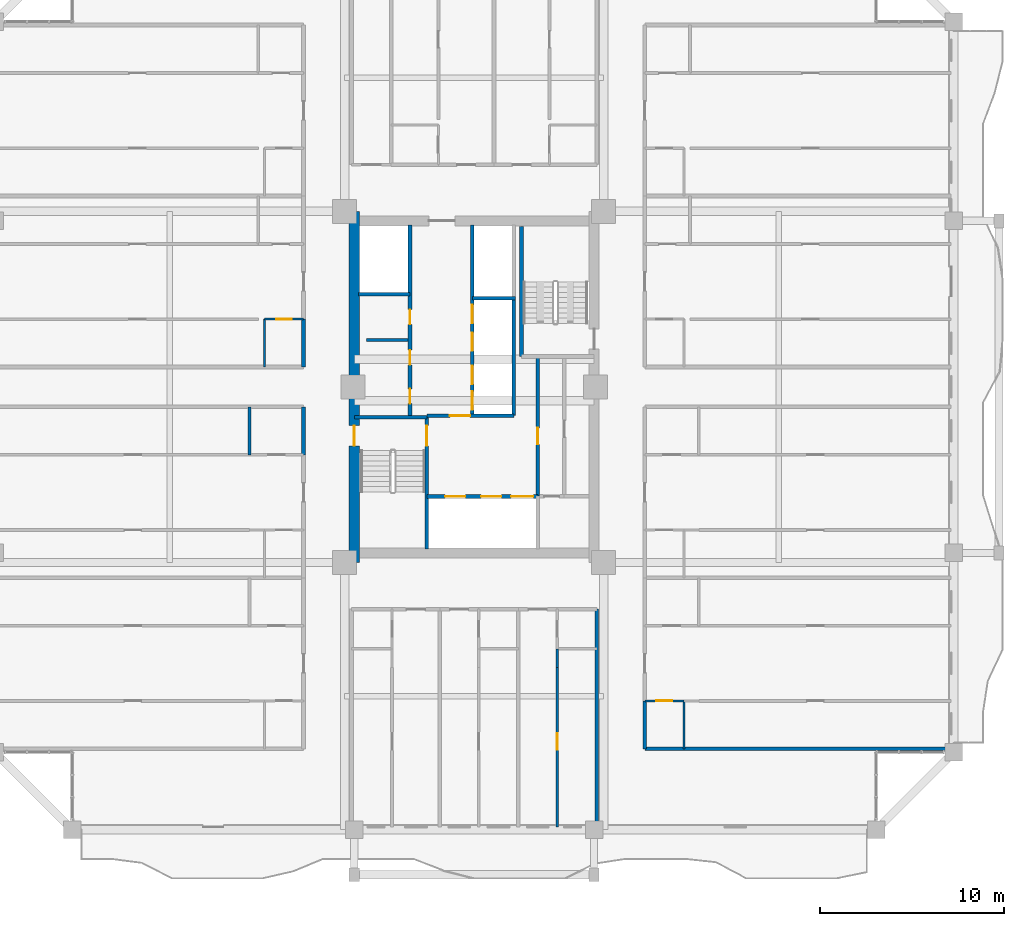
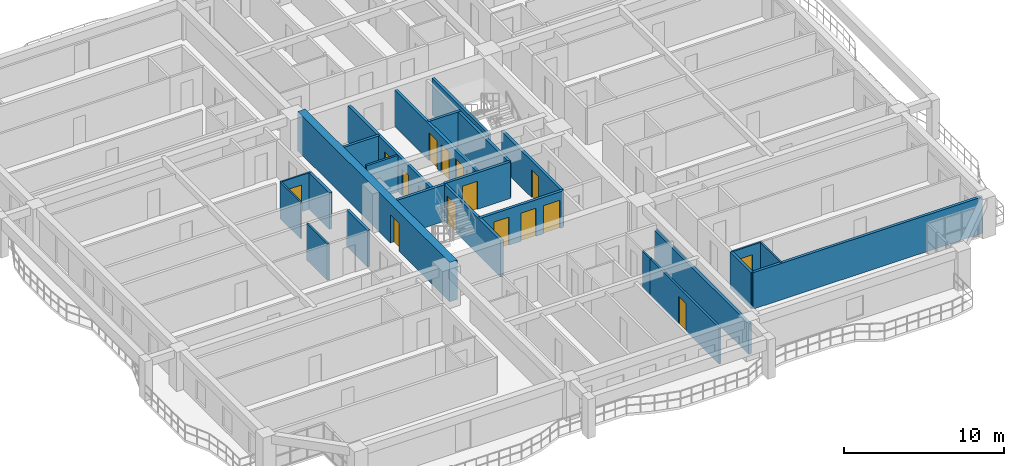
# One storey, part 16 of 25: 25 walls, 17 doors, 17 openings.
"""IFC4 building model written with IfcOpenShell, lengths in metres."""

from ifc_helpers import new_model, si_unit, direction, frame, frame_2d, origin, place, context, subcontext, project, spatial, rectangle, extrude, source, transform, mapped, material, layer, layer_set, type_object, element, fill, save


model = new_model("IFC4")

# Units and contexts
model_context = context("Model", 3, precision=1e-05, world=origin(), true_north=direction((0.0, 1.0)))
body_context = subcontext(model_context, "Body", "Model", "MODEL_VIEW")
ifc_project = project(units=[si_unit("LENGTHUNIT", "METRE"), si_unit("AREAUNIT", "SQUARE_METRE"), si_unit("VOLUMEUNIT", "CUBIC_METRE"), si_unit("PLANEANGLEUNIT", "RADIAN"), si_unit("MASSUNIT", "GRAM", prefix="KILO")], contexts=[model_context])

# Site, building, storey
site_placement = place(None, origin())
site = spatial("IfcSite", under=ifc_project, at=site_placement, CompositionType="ELEMENT")
building_placement = place(site_placement, origin())
building = spatial("IfcBuilding", under=site, at=building_placement, Name="Saelheon Loggia Tower", CompositionType="ELEMENT")
storey_placement = place(building_placement, frame((0.0, 0.0, 107.85009765625)))
storey = spatial("IfcBuildingStorey", under=building, at=storey_placement, Name="L34", CompositionType="ELEMENT", Elevation=107.85009765625)

# Wall, opening, door
ifc_material_1 = material(Name="Concrete C50/60", Category="concrete")
ifc_layer_1 = layer(ifc_material_1, 0.550048828125)
ifc_layer_set_1 = layer_set([ifc_layer_1], Name="Concrete C50/60")
wall_type_1 = type_object("IfcWallType", Name="Wall_CoreShear_550", PredefinedType="SHEAR", material=ifc_layer_set_1)
wall_1_placement = place(storey_placement, frame((31.5, 17.47998046875, 0.0), z_axis=(0.0, 0.0, 1.0), x_axis=(0.0, 1.0, 0.0)))
wall_1 = element("IfcWall", 1, at=wall_1_placement, inside=storey, type_object=wall_type_1, Name="L34 Core Shear Wall West", PredefinedType="SHEAR", context=body_context, shape_type="SweptSolid", body=[
    extrude(rectangle(XDim=19.0400390625, YDim=0.550048828125, at=frame_2d((9.52001953125, 0.0))), origin(), (0.0, 0.0, 1.0), 3.0),
])
opening_1_placement = place(wall_1_placement, frame((6.320068359375, 0.0, 0.0)))
opening_1 = element("IfcOpeningElement", 2, at=opening_1_placement, cuts=wall_1, Name="Opening D-FD2", PredefinedType="OPENING", context=body_context, shape_type="SweptSolid", body=[
    extrude(rectangle(XDim=1.10009765625, YDim=2.14990234375, at=frame_2d((0.550048828125, 1.074951171875))), frame((0.0, 0.287109375, 0.0), z_axis=(0.0, -1.0, 0.0), x_axis=(1.0, 0.0, 0.0)), (0.0, 0.0, 1.0), 0.573974609375),
])
ifc_material_2 = material(Name="Galvanised Steel Fire Door", Category="steel")
door_type_1 = type_object("IfcDoorType", Name="Door_Fire_FD60_1100", OperationType="NOTDEFINED", PredefinedType="DOOR", material=ifc_material_2)
shared_shape_1 = source(origin(), body_context, "Body", "SweptSolid", [
    extrude(rectangle(XDim=1.10009765625, YDim=2.14990234375, at=frame_2d((0.550048828125, 1.074951171875))), frame((0.0, 0.02490234375, 0.0), z_axis=(0.0, -1.0, 0.0), x_axis=(1.0, 0.0, 0.0)), (0.0, 0.0, 1.0), 0.050048828125),
])
door_1_placement = place(opening_1_placement, origin())
door_1 = element("IfcDoor", 3, at=door_1_placement, inside=storey, type_object=door_type_1, Name="L34 Stair ST1 Corridor Door", OperationType="SINGLE_SWING_LEFT", OverallHeight=2.14990234375, OverallWidth=1.10009765625, PredefinedType="DOOR", context=body_context, shape_type="MappedRepresentation", body=[
    mapped(shared_shape_1, transform((0.0, 0.0, 0.0), scale=1.0)),
])
fill(opening_1, door_1)

# Wall
ifc_material_3 = material(Name="Lightweight Autoclaved Aerated Concrete Block and Acoustic Gypsum", Category="concrete")
ifc_layer_2 = layer(ifc_material_3, 0.14990234375)
ifc_layer_set_2 = layer_set([ifc_layer_2], Name="Lightweight Autoclaved Aerated Concrete Block and Acoustic Gypsum")
wall_type_2 = type_object("IfcWallType", Name="Wall_Part_150", PredefinedType="PARTITIONING", material=ifc_layer_set_2)
wall_2_placement = place(storey_placement, frame((32.14990234375, 29.550048828125, 0.0), z_axis=(0.0, 0.0, 1.0), x_axis=(1.0, 0.0, 0.0)))
element("IfcWall", 4, at=wall_2_placement, inside=storey, type_object=wall_type_2, Name="L34 Freed Core Partition PL1", PredefinedType="PARTITIONING", context=body_context, shape_type="SweptSolid", body=[
    extrude(rectangle(XDim=2.27001953125, YDim=0.14990234375, at=frame_2d((1.135009765625, 0.0))), origin(), (0.0, 0.0, 1.0), 2.789794921875),
])

# Wall, opening, door
wall_3_placement = place(storey_placement, frame((42.5, 11.780029296875, 0.0), z_axis=(0.0, 0.0, 1.0), x_axis=(0.0, -1.0, 0.0)))
wall_3 = element("IfcWall", 5, at=wall_3_placement, inside=storey, type_object=wall_type_2, Name="L34 S Partition U22", PredefinedType="PARTITIONING", context=body_context, shape_type="SweptSolid", body=[
    extrude(rectangle(XDim=8.630126953125, YDim=0.14990234375, at=frame_2d((4.31494140625, 0.0))), origin(), (0.0, 0.0, 1.0), 2.789794921875),
])
opening_2_placement = place(wall_3_placement, frame((3.56298828125, 0.0, 0.0)))
opening_2 = element("IfcOpeningElement", 6, at=opening_2_placement, cuts=wall_3, Name="Opening D-IN2", PredefinedType="OPENING", context=body_context, shape_type="SweptSolid", body=[
    extrude(rectangle(XDim=0.89990234375, YDim=2.10009765625, at=frame_2d((0.449951171875, 1.050048828125))), frame((0.0, 0.0869140625, 0.0), z_axis=(0.0, -1.0, 0.0), x_axis=(1.0, 0.0, 0.0)), (0.0, 0.0, 1.0), 0.173828125),
])
ifc_material_4 = material(Name="Engineered Oak Flush Door", Category="timber")
door_type_2 = type_object("IfcDoorType", Name="Door_Int_900", OperationType="NOTDEFINED", PredefinedType="DOOR", material=ifc_material_4)
shared_shape_2 = source(origin(), body_context, "Body", "SweptSolid", [
    extrude(rectangle(XDim=0.89990234375, YDim=2.10009765625, at=frame_2d((0.449951171875, 1.050048828125))), frame((0.0, 0.02490234375, 0.0), z_axis=(0.0, -1.0, 0.0), x_axis=(1.0, 0.0, 0.0)), (0.0, 0.0, 1.0), 0.050048828125),
])
door_2_placement = place(opening_2_placement, origin())
door_2 = element("IfcDoor", 7, at=door_2_placement, inside=storey, type_object=door_type_2, Name="Unit U03 Kitchen Door", OperationType="SINGLE_SWING_RIGHT", OverallHeight=2.10009765625, OverallWidth=0.89990234375, PredefinedType="DOOR", context=body_context, shape_type="MappedRepresentation", body=[
    mapped(shared_shape_2, transform((0.0, 0.0, 0.0), scale=1.0)),
])
fill(opening_2, door_2)

# Walls
wall_4_placement = place(storey_placement, frame((25.820068359375, 23.320068359375, 0.0), z_axis=(0.0, 0.0, 1.0), x_axis=(0.0, 1.0, 0.0)))
element("IfcWall", 8, at=wall_4_placement, inside=storey, type_object=wall_type_2, Name="L34 WS Partition V18", PredefinedType="PARTITIONING", context=body_context, shape_type="SweptSolid", body=[
    extrude(rectangle(XDim=2.599853515625, YDim=0.14990234375, at=frame_2d((1.2998046875, 0.0))), origin(), (0.0, 0.0, 1.0), 2.789794921875),
])
ifc_material_5 = material(Name="Double Acoustic Stud and Fireboard Partition", Category="gypsum")
ifc_layer_3 = layer(ifc_material_5, 0.199951171875)
ifc_layer_set_3 = layer_set([ifc_layer_3], Name="Double Acoustic Stud and Fireboard Partition")
wall_type_3 = type_object("IfcWallType", Name="Wall_Party_200", PredefinedType="PARTITIONING", material=ifc_layer_set_3)
wall_5_placement = place(storey_placement, frame((44.64990234375, 14.949951171875, 0.0), z_axis=(0.0, 0.0, 1.0), x_axis=(0.0, -1.0, 0.0)))
element("IfcWall", 9, at=wall_5_placement, inside=storey, type_object=wall_type_3, Name="L34 S Partition U02", PredefinedType="PARTITIONING", context=body_context, shape_type="SweptSolid", body=[
    extrude(rectangle(XDim=11.800048828125, YDim=0.199951171875, at=frame_2d((5.89990234375, 0.0))), origin(), (0.0, 0.0, 1.0), 2.33984375),
])
wall_6_placement = place(storey_placement, frame((28.75, 23.320068359375, 0.0), z_axis=(0.0, 0.0, 1.0), x_axis=(0.0, 1.0, 0.0)))
element("IfcWall", 10, at=wall_6_placement, inside=storey, type_object=wall_type_3, Name="L34 WS Partition V16", PredefinedType="PARTITIONING", context=body_context, shape_type="SweptSolid", body=[
    extrude(rectangle(XDim=2.599853515625, YDim=0.199951171875, at=frame_2d((1.2998046875, 0.0))), origin(), (0.0, 0.0, 1.0), 2.789794921875),
])
wall_7_placement = place(storey_placement, frame((28.75, 28.080078125, 0.0), z_axis=(0.0, 0.0, 1.0), x_axis=(0.0, 1.0, 0.0)))
element("IfcWall", 11, at=wall_7_placement, inside=storey, type_object=wall_type_3, Name="L34 WN Partition V03", PredefinedType="PARTITIONING", context=body_context, shape_type="SweptSolid", body=[
    extrude(rectangle(XDim=2.595458984375, YDim=0.199951171875, at=frame_2d((1.2978515625, 0.0))), origin(), (0.0, 0.0, 1.0), 2.789794921875),
])
wall_8_placement = place(storey_placement, frame((47.25, 7.3798828125, 0.0), z_axis=(0.0, 0.0, 1.0), x_axis=(1.0, 0.0, 0.0)))
element("IfcWall", 12, at=wall_8_placement, inside=storey, type_object=wall_type_3, Name="L34 ES Partition U01", PredefinedType="PARTITIONING", context=body_context, shape_type="SweptSolid", body=[
    extrude(rectangle(XDim=16.60009765625, YDim=0.199951171875, at=frame_2d((8.300048828125, 0.0))), origin(), (0.0, 0.0, 1.0), 2.789794921875),
])
wall_9_placement = place(storey_placement, frame((47.25, 7.3798828125, 0.0), z_axis=(0.0, 0.0, 1.0), x_axis=(0.0, 1.0, 0.0)))
element("IfcWall", 13, at=wall_9_placement, inside=storey, type_object=wall_type_3, Name="L34 ES Partition V03", PredefinedType="PARTITIONING", context=body_context, shape_type="SweptSolid", body=[
    extrude(rectangle(XDim=2.595703125, YDim=0.199951171875, at=frame_2d((1.2978515625, 0.0))), origin(), (0.0, 0.0, 1.0), 2.789794921875),
])

# Wall, opening, door
ifc_material_6 = material(Name="Concrete C40/50", Category="concrete")
ifc_layer_4 = layer(ifc_material_6, 0.199951171875)
ifc_layer_set_4 = layer_set([ifc_layer_4], Name="Concrete C40/50")
wall_type_4 = type_object("IfcWallType", Name="Wall_Shaft_200", PredefinedType="PARTITIONING", material=ifc_layer_set_4)
wall_10_placement = place(storey_placement, frame((41.449951171875, 21.080078125, 0.0), z_axis=(0.0, 0.0, 1.0), x_axis=(0.0, 1.0, 0.0)))
wall_10 = element("IfcWall", 14, at=wall_10_placement, inside=storey, type_object=wall_type_4, Name="CW-INT-L34-BOH-W1", PredefinedType="PARTITIONING", context=body_context, shape_type="SweptSolid", body=[
    extrude(rectangle(XDim=7.52001953125, YDim=0.199951171875, at=frame_2d((3.760009765625, 0.0))), origin(), (0.0, 0.0, 1.0), 2.789794921875),
])
opening_3_placement = place(wall_10_placement, frame((2.800048828125, 0.0, 0.0)))
opening_3 = element("IfcOpeningElement", 15, at=opening_3_placement, cuts=wall_10, Name="Opening D-RS1", PredefinedType="OPENING", context=body_context, shape_type="SweptSolid", body=[
    extrude(rectangle(XDim=0.89990234375, YDim=2.10009765625, at=frame_2d((0.449951171875, 1.050048828125))), frame((0.0, 0.112060546875, 0.0), z_axis=(0.0, -1.0, 0.0), x_axis=(1.0, 0.0, 0.0)), (0.0, 0.0, 1.0), 0.223876953125),
])
ifc_material_7 = material(Name="Galvanised Steel Riser Access Door", Category="steel")
door_type_3 = type_object("IfcDoorType", Name="Door_Riser_FD60", OperationType="NOTDEFINED", PredefinedType="DOOR", material=ifc_material_7)
door_3_placement = place(opening_3_placement, origin())
door_3 = element("IfcDoor", 16, at=door_3_placement, inside=storey, type_object=door_type_3, Name="L34 Service Store Door", OperationType="SINGLE_SWING_RIGHT", OverallHeight=2.10009765625, OverallWidth=0.89990234375, PredefinedType="DOOR", context=body_context, shape_type="MappedRepresentation", body=[
    mapped(shared_shape_2, transform((0.0, 0.0, 0.0), scale=1.0)),
])
fill(opening_3, door_3)

# Wall
wall_11_placement = place(storey_placement, frame((40.14990234375, 25.43994140625, 0.0), z_axis=(0.0, 0.0, 1.0), x_axis=(0.0, 1.0, 0.0)))
element("IfcWall", 17, at=wall_11_placement, inside=storey, type_object=wall_type_4, Name="L34 Core Service Passage West Wall", PredefinedType="PARTITIONING", context=body_context, shape_type="SweptSolid", body=[
    extrude(rectangle(XDim=6.360107421875, YDim=0.199951171875, at=frame_2d((3.18017578125, 0.0))), origin(), (0.0, 0.0, 1.0), 2.789794921875),
])

# Wall, openings, doors
wall_12_placement = place(storey_placement, frame((35.429931640625, 21.06005859375, 0.0), z_axis=(0.0, 0.0, 1.0), x_axis=(1.0, 0.0, 0.0)))
wall_12 = element("IfcWall", 18, at=wall_12_placement, inside=storey, type_object=wall_type_4, Name="L34 Firefighting Lift Shaft Front Wall", PredefinedType="PARTITIONING", context=body_context, shape_type="SweptSolid", body=[
    extrude(rectangle(XDim=6.02001953125, YDim=0.199951171875, at=frame_2d((3.010009765625, 0.0))), origin(), (0.0, 0.0, 1.0), 2.789794921875),
])
opening_4_placement = place(wall_12_placement, frame((1.0, 0.0, 0.0)))
opening_4 = element("IfcOpeningElement", 19, at=opening_4_placement, cuts=wall_12, Name="Opening LD2", PredefinedType="OPENING", context=body_context, shape_type="SweptSolid", body=[
    extrude(rectangle(XDim=1.10009765625, YDim=2.14990234375, at=frame_2d((0.550048828125, 1.074951171875))), frame((0.0, 0.112060546875, 0.0), z_axis=(0.0, -1.0, 0.0), x_axis=(1.0, 0.0, 0.0)), (0.0, 0.0, 1.0), 0.223876953125),
])
opening_5_placement = place(wall_12_placement, frame((2.949951171875, 0.0, 0.0)))
opening_5 = element("IfcOpeningElement", 20, at=opening_5_placement, cuts=wall_12, Name="Opening LD2", PredefinedType="OPENING", context=body_context, shape_type="SweptSolid", body=[
    extrude(rectangle(XDim=1.10009765625, YDim=2.14990234375, at=frame_2d((0.550048828125, 1.074951171875))), frame((0.0, 0.112060546875, 0.0), z_axis=(0.0, -1.0, 0.0), x_axis=(1.0, 0.0, 0.0)), (0.0, 0.0, 1.0), 0.223876953125),
])
opening_6_placement = place(wall_12_placement, frame((4.580078125, 0.0, 0.0)))
opening_6 = element("IfcOpeningElement", 21, at=opening_6_placement, cuts=wall_12, Name="Opening LD3", PredefinedType="OPENING", context=body_context, shape_type="SweptSolid", body=[
    extrude(rectangle(XDim=1.199951171875, YDim=2.14990234375, at=frame_2d((0.60009765625, 1.074951171875))), frame((0.0, 0.112060546875, 0.0), z_axis=(0.0, -1.0, 0.0), x_axis=(1.0, 0.0, 0.0)), (0.0, 0.0, 1.0), 0.223876953125),
])
ifc_material_8 = material(Name="Firefighting Stainless Steel 316 Landing Door", Category="steel")
door_type_4 = type_object("IfcDoorType", Name="Door_Lift_LD2", OperationType="DOUBLE_DOOR_SLIDING", PredefinedType="DOOR", material=ifc_material_8)
door_4_placement = place(opening_4_placement, origin())
door_4 = element("IfcDoor", 22, at=door_4_placement, inside=storey, type_object=door_type_4, Name="L34 FF1 Landing Door", OperationType="DOUBLE_DOOR_SLIDING", OverallHeight=2.14990234375, OverallWidth=1.10009765625, PredefinedType="DOOR", context=body_context, shape_type="MappedRepresentation", body=[
    mapped(shared_shape_1, transform((0.0, 0.0, 0.0), scale=1.0)),
])
fill(opening_4, door_4)
door_5_placement = place(opening_5_placement, origin())
door_5 = element("IfcDoor", 23, at=door_5_placement, inside=storey, type_object=door_type_4, Name="L34 FF2 Landing Door", OperationType="DOUBLE_DOOR_SLIDING", OverallHeight=2.14990234375, OverallWidth=1.10009765625, PredefinedType="DOOR", context=body_context, shape_type="MappedRepresentation", body=[
    mapped(shared_shape_1, transform((0.0, 0.0, 0.0), scale=1.0)),
])
fill(opening_5, door_5)
ifc_material_9 = material(Name="Stretcher Lift Stainless Steel 304 Landing Door", Category="steel")
door_type_5 = type_object("IfcDoorType", Name="Door_Lift_LD3", OperationType="DOUBLE_DOOR_SLIDING", PredefinedType="DOOR", material=ifc_material_9)
shared_shape_3 = source(origin(), body_context, "Body", "SweptSolid", [
    extrude(rectangle(XDim=1.199951171875, YDim=2.14990234375, at=frame_2d((0.60009765625, 1.074951171875))), frame((0.0, 0.02490234375, 0.0), z_axis=(0.0, -1.0, 0.0), x_axis=(1.0, 0.0, 0.0)), (0.0, 0.0, 1.0), 0.050048828125),
])
door_6_placement = place(opening_6_placement, origin())
door_6 = element("IfcDoor", 24, at=door_6_placement, inside=storey, type_object=door_type_5, Name="L34 SV1 Landing Door", OperationType="DOUBLE_DOOR_SLIDING", OverallHeight=2.14990234375, OverallWidth=1.199951171875, PredefinedType="DOOR", context=body_context, shape_type="MappedRepresentation", body=[
    mapped(shared_shape_3, transform((0.0, 0.0, 0.0), scale=1.0)),
])
fill(opening_6, door_6)

# Wall, opening, door
wall_13_placement = place(storey_placement, frame((35.429931640625, 25.43994140625, 0.0), z_axis=(0.0, 0.0, 1.0), x_axis=(1.0, 0.0, 0.0)))
wall_13 = element("IfcWall", 25, at=wall_13_placement, inside=storey, type_object=wall_type_4, Name="L34 Firefighting Lobby Compartment Wall", PredefinedType="PARTITIONING", context=body_context, shape_type="SweptSolid", body=[
    extrude(rectangle(XDim=4.719970703125, YDim=0.199951171875, at=frame_2d((2.35986328125, 0.0))), origin(), (0.0, 0.0, 1.0), 2.789794921875),
])
opening_7_placement = place(wall_13_placement, frame((1.25, 0.0, 0.0)))
opening_7 = element("IfcOpeningElement", 26, at=opening_7_placement, cuts=wall_13, Name="Opening D-FD2", PredefinedType="OPENING", context=body_context, shape_type="SweptSolid", body=[
    extrude(rectangle(XDim=1.10009765625, YDim=2.14990234375, at=frame_2d((0.550048828125, 1.074951171875))), frame((0.0, 0.112060546875, 0.0), z_axis=(0.0, -1.0, 0.0), x_axis=(1.0, 0.0, 0.0)), (0.0, 0.0, 1.0), 0.223876953125),
])
door_7_placement = place(opening_7_placement, origin())
door_7 = element("IfcDoor", 27, at=door_7_placement, inside=storey, type_object=door_type_1, Name="L34 Firefighting Lobby Door", OperationType="SINGLE_SWING_LEFT", OverallHeight=2.14990234375, OverallWidth=1.10009765625, PredefinedType="DOOR", context=body_context, shape_type="MappedRepresentation", body=[
    mapped(shared_shape_1, transform((0.0, 0.0, 0.0), scale=1.0)),
])
fill(opening_7, door_7)

# Wall, openings, doors
wall_14_placement = place(storey_placement, frame((34.52001953125, 25.43994140625, 0.0), z_axis=(0.0, 0.0, 1.0), x_axis=(0.0, 1.0, 0.0)))
wall_14 = element("IfcWall", 28, at=wall_14_placement, inside=storey, type_object=wall_type_4, Name="L34 West Passenger Lift Bank Wall", PredefinedType="PARTITIONING", context=body_context, shape_type="SweptSolid", body=[
    extrude(rectangle(XDim=10.340087890625, YDim=0.199951171875, at=frame_2d((5.169921875, 0.0))), origin(), (0.0, 0.0, 1.0), 2.789794921875),
])
opening_8_placement = place(wall_14_placement, frame((0.64990234375, 0.0, 0.0)))
opening_8 = element("IfcOpeningElement", 29, at=opening_8_placement, cuts=wall_14, Name="Opening D-ST1", PredefinedType="OPENING", context=body_context, shape_type="SweptSolid", body=[
    extrude(rectangle(XDim=0.800048828125, YDim=2.050048828125, at=frame_2d((0.39990234375, 1.02490234375))), frame((0.0, 0.112060546875, 0.0), z_axis=(0.0, -1.0, 0.0), x_axis=(1.0, 0.0, 0.0)), (0.0, 0.0, 1.0), 0.223876953125),
])
opening_9_placement = place(wall_14_placement, frame((2.75, 0.0, 0.0)))
opening_9 = element("IfcOpeningElement", 30, at=opening_9_placement, cuts=wall_14, Name="Opening D-ST1", PredefinedType="OPENING", context=body_context, shape_type="SweptSolid", body=[
    extrude(rectangle(XDim=0.800048828125, YDim=2.050048828125, at=frame_2d((0.39990234375, 1.02490234375))), frame((0.0, 0.112060546875, 0.0), z_axis=(0.0, -1.0, 0.0), x_axis=(1.0, 0.0, 0.0)), (0.0, 0.0, 1.0), 0.223876953125),
])
opening_10_placement = place(wall_14_placement, frame((4.949951171875, 0.0, 0.0)))
opening_10 = element("IfcOpeningElement", 31, at=opening_10_placement, cuts=wall_14, Name="Opening D-ST1", PredefinedType="OPENING", context=body_context, shape_type="SweptSolid", body=[
    extrude(rectangle(XDim=0.800048828125, YDim=2.050048828125, at=frame_2d((0.39990234375, 1.02490234375))), frame((0.0, 0.112060546875, 0.0), z_axis=(0.0, -1.0, 0.0), x_axis=(1.0, 0.0, 0.0)), (0.0, 0.0, 1.0), 0.223876953125),
])
ifc_material_10 = material(Name="Powder-Coated Steel Store Door", Category="steel")
door_type_6 = type_object("IfcDoorType", Name="Door_Store_800", OperationType="NOTDEFINED", PredefinedType="DOOR", material=ifc_material_10)
shared_shape_4 = source(origin(), body_context, "Body", "SweptSolid", [
    extrude(rectangle(XDim=0.800048828125, YDim=2.050048828125, at=frame_2d((0.39990234375, 1.02490234375))), frame((0.0, 0.02490234375, 0.0), z_axis=(0.0, -1.0, 0.0), x_axis=(1.0, 0.0, 0.0)), (0.0, 0.0, 1.0), 0.050048828125),
])
door_8_placement = place(opening_8_placement, origin())
door_8 = element("IfcDoor", 32, at=door_8_placement, inside=storey, type_object=door_type_6, Name="L34 Telecom Store Door", OperationType="SINGLE_SWING_LEFT", OverallHeight=2.050048828125, OverallWidth=0.800048828125, PredefinedType="DOOR", context=body_context, shape_type="MappedRepresentation", body=[
    mapped(shared_shape_4, transform((0.0, 0.0, 0.0), scale=1.0)),
])
fill(opening_8, door_8)
door_9_placement = place(opening_9_placement, origin())
door_9 = element("IfcDoor", 33, at=door_9_placement, inside=storey, type_object=door_type_6, Name="L34 Linen Closet Door", OperationType="SINGLE_SWING_RIGHT", OverallHeight=2.050048828125, OverallWidth=0.800048828125, PredefinedType="DOOR", context=body_context, shape_type="MappedRepresentation", body=[
    mapped(shared_shape_4, transform((0.0, 0.0, 0.0), scale=1.0)),
])
fill(opening_9, door_9)
door_10_placement = place(opening_10_placement, origin())
door_10 = element("IfcDoor", 34, at=door_10_placement, inside=storey, type_object=door_type_6, Name="L34 Metering Store Door", OperationType="SINGLE_SWING_LEFT", OverallHeight=2.050048828125, OverallWidth=0.800048828125, PredefinedType="DOOR", context=body_context, shape_type="MappedRepresentation", body=[
    mapped(shared_shape_4, transform((0.0, 0.0, 0.0), scale=1.0)),
])
fill(opening_10, door_10)

# Wall
wall_15_placement = place(storey_placement, frame((31.719970703125, 32.02001953125, 0.0), z_axis=(0.0, 0.0, 1.0), x_axis=(1.0, 0.0, 0.0)))
element("IfcWall", 35, at=wall_15_placement, inside=storey, type_object=wall_type_4, Name="L34 West High-Rise Shaft Divider", PredefinedType="PARTITIONING", context=body_context, shape_type="SweptSolid", body=[
    extrude(rectangle(XDim=2.800048828125, YDim=0.199951171875, at=frame_2d((1.39990234375, 0.0))), origin(), (0.0, 0.0, 1.0), 2.789794921875),
])

# Wall, openings, doors
wall_16_placement = place(storey_placement, frame((37.89990234375, 25.43994140625, 0.0), z_axis=(0.0, 0.0, 1.0), x_axis=(0.0, 1.0, 0.0)))
wall_16 = element("IfcWall", 36, at=wall_16_placement, inside=storey, type_object=wall_type_4, Name="L34 East Passenger Lift Bank Wall", PredefinedType="PARTITIONING", context=body_context, shape_type="SweptSolid", body=[
    extrude(rectangle(XDim=10.340087890625, YDim=0.199951171875, at=frame_2d((5.169921875, 0.0))), origin(), (0.0, 0.0, 1.0), 2.789794921875),
])
opening_11_placement = place(wall_16_placement, frame((0.320068359375, 0.0, 0.0)))
opening_11 = element("IfcOpeningElement", 37, at=opening_11_placement, cuts=wall_16, Name="Opening LD1", PredefinedType="OPENING", context=body_context, shape_type="SweptSolid", body=[
    extrude(rectangle(XDim=1.0, YDim=2.14990234375, at=frame_2d((0.5, 1.074951171875))), frame((0.0, 0.112060546875, 0.0), z_axis=(0.0, -1.0, 0.0), x_axis=(1.0, 0.0, 0.0)), (0.0, 0.0, 1.0), 0.223876953125),
])
opening_12_placement = place(wall_16_placement, frame((1.7099609375, 0.0, 0.0)))
opening_12 = element("IfcOpeningElement", 38, at=opening_12_placement, cuts=wall_16, Name="Opening LD1", PredefinedType="OPENING", context=body_context, shape_type="SweptSolid", body=[
    extrude(rectangle(XDim=1.0, YDim=2.14990234375, at=frame_2d((0.5, 1.074951171875))), frame((0.0, 0.112060546875, 0.0), z_axis=(0.0, -1.0, 0.0), x_axis=(1.0, 0.0, 0.0)), (0.0, 0.0, 1.0), 0.223876953125),
])
opening_13_placement = place(wall_16_placement, frame((3.510009765625, 0.0, 0.0)))
opening_13 = element("IfcOpeningElement", 39, at=opening_13_placement, cuts=wall_16, Name="Opening LD1", PredefinedType="OPENING", context=body_context, shape_type="SweptSolid", body=[
    extrude(rectangle(XDim=1.0, YDim=2.14990234375, at=frame_2d((0.5, 1.074951171875))), frame((0.0, 0.112060546875, 0.0), z_axis=(0.0, -1.0, 0.0), x_axis=(1.0, 0.0, 0.0)), (0.0, 0.0, 1.0), 0.223876953125),
])
opening_14_placement = place(wall_16_placement, frame((5.010009765625, 0.0, 0.0)))
opening_14 = element("IfcOpeningElement", 40, at=opening_14_placement, cuts=wall_16, Name="Opening LD1", PredefinedType="OPENING", context=body_context, shape_type="SweptSolid", body=[
    extrude(rectangle(XDim=1.0, YDim=2.14990234375, at=frame_2d((0.5, 1.074951171875))), frame((0.0, 0.112060546875, 0.0), z_axis=(0.0, -1.0, 0.0), x_axis=(1.0, 0.0, 0.0)), (0.0, 0.0, 1.0), 0.223876953125),
])
ifc_material_11 = material(Name="Brushed Stainless Steel 304 Landing Door", Category="steel")
door_type_7 = type_object("IfcDoorType", Name="Door_Lift_LD1", OperationType="DOUBLE_DOOR_SLIDING", PredefinedType="DOOR", material=ifc_material_11)
shared_shape_5 = source(origin(), body_context, "Body", "SweptSolid", [
    extrude(rectangle(XDim=1.0, YDim=2.14990234375, at=frame_2d((0.5, 1.074951171875))), frame((0.0, 0.02490234375, 0.0), z_axis=(0.0, -1.0, 0.0), x_axis=(1.0, 0.0, 0.0)), (0.0, 0.0, 1.0), 0.050048828125),
])
door_11_placement = place(opening_11_placement, origin())
door_11 = element("IfcDoor", 41, at=door_11_placement, inside=storey, type_object=door_type_7, Name="L34 PM1 Landing Door", OperationType="DOUBLE_DOOR_SLIDING", OverallHeight=2.14990234375, OverallWidth=1.0, PredefinedType="DOOR", context=body_context, shape_type="MappedRepresentation", body=[
    mapped(shared_shape_5, transform((0.0, 0.0, 0.0), scale=1.0)),
])
fill(opening_11, door_11)
door_12_placement = place(opening_12_placement, origin())
door_12 = element("IfcDoor", 42, at=door_12_placement, inside=storey, type_object=door_type_7, Name="L34 PM2 Landing Door", OperationType="DOUBLE_DOOR_SLIDING", OverallHeight=2.14990234375, OverallWidth=1.0, PredefinedType="DOOR", context=body_context, shape_type="MappedRepresentation", body=[
    mapped(shared_shape_5, transform((0.0, 0.0, 0.0), scale=1.0)),
])
fill(opening_12, door_12)
door_13_placement = place(opening_13_placement, origin())
door_13 = element("IfcDoor", 43, at=door_13_placement, inside=storey, type_object=door_type_7, Name="L34 PM3 Landing Door", OperationType="DOUBLE_DOOR_SLIDING", OverallHeight=2.14990234375, OverallWidth=1.0, PredefinedType="DOOR", context=body_context, shape_type="MappedRepresentation", body=[
    mapped(shared_shape_5, transform((0.0, 0.0, 0.0), scale=1.0)),
])
fill(opening_13, door_13)
door_14_placement = place(opening_14_placement, origin())
door_14 = element("IfcDoor", 44, at=door_14_placement, inside=storey, type_object=door_type_7, Name="L34 PM4 Landing Door", OperationType="DOUBLE_DOOR_SLIDING", OverallHeight=2.14990234375, OverallWidth=1.0, PredefinedType="DOOR", context=body_context, shape_type="MappedRepresentation", body=[
    mapped(shared_shape_5, transform((0.0, 0.0, 0.0), scale=1.0)),
])
fill(opening_14, door_14)

# Wall
wall_17_placement = place(storey_placement, frame((37.89990234375, 31.800048828125, 0.0), z_axis=(0.0, 0.0, 1.0), x_axis=(1.0, 0.0, 0.0)))
element("IfcWall", 45, at=wall_17_placement, inside=storey, type_object=wall_type_4, Name="L34 East High-Rise Shaft Divider", PredefinedType="PARTITIONING", context=body_context, shape_type="SweptSolid", body=[
    extrude(rectangle(XDim=2.35009765625, YDim=0.199951171875, at=frame_2d((1.175048828125, 0.0))), origin(), (0.0, 0.0, 1.0), 2.789794921875),
])

# Wall, opening, door
ifc_material_12 = material(Name="Concrete C45/55", Category="concrete")
ifc_layer_5 = layer(ifc_material_12, 0.199951171875)
ifc_layer_set_5 = layer_set([ifc_layer_5], Name="Concrete C45/55")
wall_type_5 = type_object("IfcWallType", Name="Wall_StairShaft_RC200", PredefinedType="SOLIDWALL", material=ifc_layer_set_5)
wall_18_placement = place(storey_placement, frame((35.429931640625, 18.219970703125, 0.0), z_axis=(0.0, 0.0, 1.0), x_axis=(0.0, 1.0, 0.0)))
wall_18 = element("IfcWall", 46, at=wall_18_placement, inside=storey, type_object=wall_type_5, Name="L34 Stair ST1 Shaft Wall", PredefinedType="SOLIDWALL", context=body_context, shape_type="SweptSolid", body=[
    extrude(rectangle(XDim=7.219970703125, YDim=0.199951171875, at=frame_2d((3.60986328125, 0.0))), origin(), (0.0, 0.0, 1.0), 2.789794921875),
])
opening_15_placement = place(wall_18_placement, frame((6.68017578125, 0.0, 0.0), z_axis=(0.0, 0.0, 1.0), x_axis=(-1.0, 0.0, 0.0)))
opening_15 = element("IfcOpeningElement", 47, at=opening_15_placement, cuts=wall_18, Name="Opening D-FD2", PredefinedType="OPENING", context=body_context, shape_type="SweptSolid", body=[
    extrude(rectangle(XDim=1.10009765625, YDim=2.14990234375, at=frame_2d((0.550048828125, 1.074951171875))), frame((0.0, 0.112060546875, 0.0), z_axis=(0.0, -1.0, 0.0), x_axis=(1.0, 0.0, 0.0)), (0.0, 0.0, 1.0), 0.223876953125),
])
door_15_placement = place(opening_15_placement, origin())
door_15 = element("IfcDoor", 48, at=door_15_placement, inside=storey, type_object=door_type_1, Name="L34 Stair ST1 Lobby Door", OperationType="SINGLE_SWING_RIGHT", OverallHeight=2.14990234375, OverallWidth=1.10009765625, PredefinedType="DOOR", context=body_context, shape_type="MappedRepresentation", body=[
    mapped(shared_shape_1, transform((0.0, 0.0, 0.0), scale=1.0)),
])
fill(opening_15, door_15)

# Walls
wall_19_placement = place(storey_placement, frame((31.5, 25.35009765625, 0.0), z_axis=(0.0, 0.0, 1.0), x_axis=(1.0, 0.0, 0.0)))
element("IfcWall", 49, at=wall_19_placement, inside=storey, type_object=wall_type_5, Name="L34 Stair ST1 North Wall", PredefinedType="SOLIDWALL", context=body_context, shape_type="SweptSolid", body=[
    extrude(rectangle(XDim=3.929931640625, YDim=0.199951171875, at=frame_2d((1.96484375, 0.0))), origin(), (0.0, 0.0, 1.0), 2.789794921875),
])
wall_20_placement = place(storey_placement, frame((40.570068359375, 28.64990234375, 0.0), z_axis=(0.0, 0.0, 1.0), x_axis=(0.0, 1.0, 0.0)))
element("IfcWall", 50, at=wall_20_placement, inside=storey, type_object=wall_type_5, Name="L34 Stair ST2 Shaft Wall", PredefinedType="SOLIDWALL", context=body_context, shape_type="SweptSolid", body=[
    extrude(rectangle(XDim=7.050048828125, YDim=0.199951171875, at=frame_2d((3.52490234375, 0.0))), origin(), (0.0, 0.0, 1.0), 2.789794921875),
])
ifc_material_13 = material(Name="Moisture-Resistant Cement Board Partition", Category="gypsum")
ifc_layer_6 = layer(ifc_material_13, 0.1201171875)
ifc_layer_set_6 = layer_set([ifc_layer_6], Name="Moisture-Resistant Cement Board Partition")
wall_type_6 = type_object("IfcWallType", Name="Wall_WetPart_120", PredefinedType="PARTITIONING", material=ifc_layer_set_6)
wall_21_placement = place(storey_placement, frame((42.5, 12.800048828125, 0.0), z_axis=(0.0, 0.0, 1.0), x_axis=(0.0, -1.0, 0.0)))
element("IfcWall", 51, at=wall_21_placement, inside=storey, type_object=wall_type_6, Name="L34 S Partition U20", PredefinedType="PARTITIONING", context=body_context, shape_type="SweptSolid", body=[
    extrude(rectangle(XDim=1.02001953125, YDim=0.1201171875, at=frame_2d((0.510009765625, 0.0))), origin(), (0.0, 0.0, 1.0), 2.789794921875),
])
wall_22_placement = place(storey_placement, frame((26.6298828125, 28.080078125, 0.0), z_axis=(0.0, 0.0, 1.0), x_axis=(0.0, 1.0, 0.0)))
element("IfcWall", 52, at=wall_22_placement, inside=storey, type_object=wall_type_6, Name="L34 WN Partition V06", PredefinedType="PARTITIONING", context=body_context, shape_type="SweptSolid", body=[
    extrude(rectangle(XDim=2.595458984375, YDim=0.1201171875, at=frame_2d((1.2978515625, 0.0))), origin(), (0.0, 0.0, 1.0), 2.789794921875),
])

# Wall, opening, door
wall_23_placement = place(storey_placement, frame((28.75, 30.675537109375, 0.0), z_axis=(0.0, 0.0, 1.0), x_axis=(-1.0, 0.0, 0.0)))
wall_23 = element("IfcWall", 53, at=wall_23_placement, inside=storey, type_object=wall_type_6, Name="L34 WN Partition U08", PredefinedType="PARTITIONING", context=body_context, shape_type="SweptSolid", body=[
    extrude(rectangle(XDim=2.1201171875, YDim=0.1201171875, at=frame_2d((1.06005859375, 0.0))), origin(), (0.0, 0.0, 1.0), 2.789794921875),
])
opening_16_placement = place(wall_23_placement, frame((0.635009765625, 0.0, 0.0)))
opening_16 = element("IfcOpeningElement", 54, at=opening_16_placement, cuts=wall_23, Name="Opening D-BT1", PredefinedType="OPENING", context=body_context, shape_type="SweptSolid", body=[
    extrude(rectangle(XDim=0.85009765625, YDim=2.050048828125, at=frame_2d((0.425048828125, 1.02490234375))), frame((0.0, 0.072021484375, 0.0), z_axis=(0.0, -1.0, 0.0), x_axis=(1.0, 0.0, 0.0)), (0.0, 0.0, 1.0), 0.14404296875),
])
ifc_material_14 = material(Name="Moisture-Resistant Laminate Timber Door", Category="wood")
door_type_8 = type_object("IfcDoorType", Name="Door_Bath_850", OperationType="NOTDEFINED", PredefinedType="DOOR", material=ifc_material_14)
shared_shape_6 = source(origin(), body_context, "Body", "SweptSolid", [
    extrude(rectangle(XDim=0.85009765625, YDim=2.050048828125, at=frame_2d((0.425048828125, 1.02490234375))), frame((0.0, 0.02490234375, 0.0), z_axis=(0.0, -1.0, 0.0), x_axis=(1.0, 0.0, 0.0)), (0.0, 0.0, 1.0), 0.050048828125),
])
door_16_placement = place(opening_16_placement, origin())
door_16 = element("IfcDoor", 55, at=door_16_placement, inside=storey, type_object=door_type_8, Name="Unit U08 Bathroom Door", OperationType="SINGLE_SWING_LEFT", OverallHeight=2.050048828125, OverallWidth=0.85009765625, PredefinedType="DOOR", context=body_context, shape_type="MappedRepresentation", body=[
    mapped(shared_shape_6, transform((0.0, 0.0, 0.0), scale=1.0)),
])
fill(opening_16, door_16)

# Wall
wall_24_placement = place(storey_placement, frame((49.3701171875, 7.3798828125, 0.0), z_axis=(0.0, 0.0, 1.0), x_axis=(0.0, 1.0, 0.0)))
element("IfcWall", 56, at=wall_24_placement, inside=storey, type_object=wall_type_6, Name="L34 ES Partition V06", PredefinedType="PARTITIONING", context=body_context, shape_type="SweptSolid", body=[
    extrude(rectangle(XDim=2.595703125, YDim=0.1201171875, at=frame_2d((1.2978515625, 0.0))), origin(), (0.0, 0.0, 1.0), 2.789794921875),
])

# Wall, opening, door
wall_25_placement = place(storey_placement, frame((47.25, 9.9755859375, 0.0), z_axis=(0.0, 0.0, 1.0), x_axis=(1.0, 0.0, 0.0)))
wall_25 = element("IfcWall", 57, at=wall_25_placement, inside=storey, type_object=wall_type_6, Name="L34 ES Partition U08", PredefinedType="PARTITIONING", context=body_context, shape_type="SweptSolid", body=[
    extrude(rectangle(XDim=2.1201171875, YDim=0.1201171875, at=frame_2d((1.06005859375, 0.0))), origin(), (0.0, 0.0, 1.0), 2.789794921875),
])
opening_17_placement = place(wall_25_placement, frame((0.635009765625, 0.0, 0.0)))
opening_17 = element("IfcOpeningElement", 58, at=opening_17_placement, cuts=wall_25, Name="Opening D-BT1", PredefinedType="OPENING", context=body_context, shape_type="SweptSolid", body=[
    extrude(rectangle(XDim=0.85009765625, YDim=2.050048828125, at=frame_2d((0.425048828125, 1.02490234375))), frame((0.0, 0.072021484375, 0.0), z_axis=(0.0, -1.0, 0.0), x_axis=(1.0, 0.0, 0.0)), (0.0, 0.0, 1.0), 0.14404296875),
])
door_17_placement = place(opening_17_placement, origin())
door_17 = element("IfcDoor", 59, at=door_17_placement, inside=storey, type_object=door_type_8, Name="Unit U10 Bathroom Door", OperationType="SINGLE_SWING_LEFT", OverallHeight=2.050048828125, OverallWidth=0.85009765625, PredefinedType="DOOR", context=body_context, shape_type="MappedRepresentation", body=[
    mapped(shared_shape_6, transform((0.0, 0.0, 0.0), scale=1.0)),
])
fill(opening_17, door_17)

save(model, "model.ifc")
